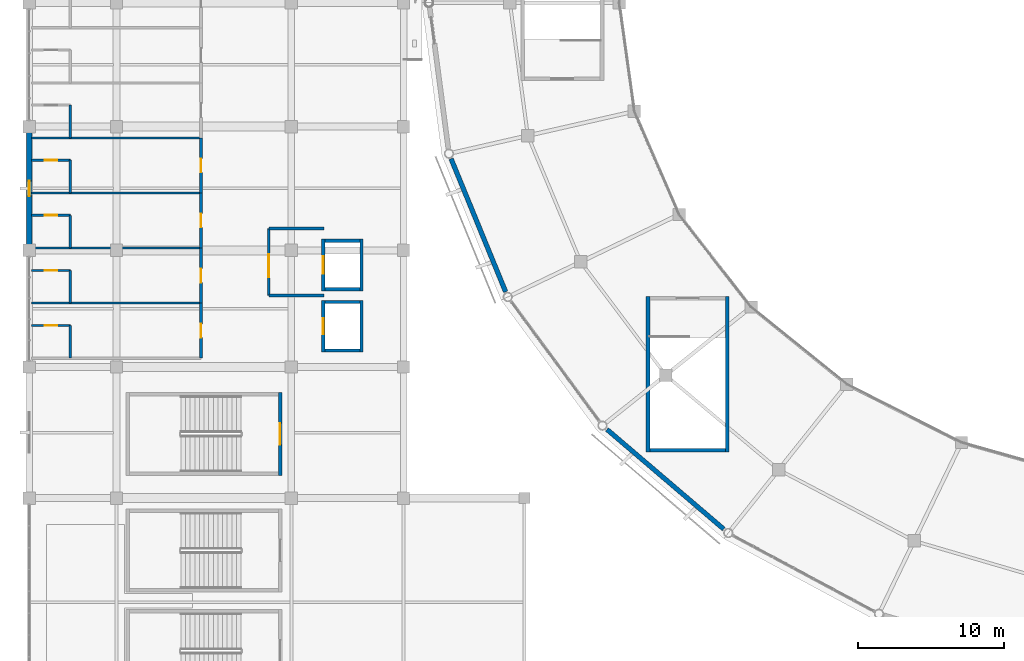
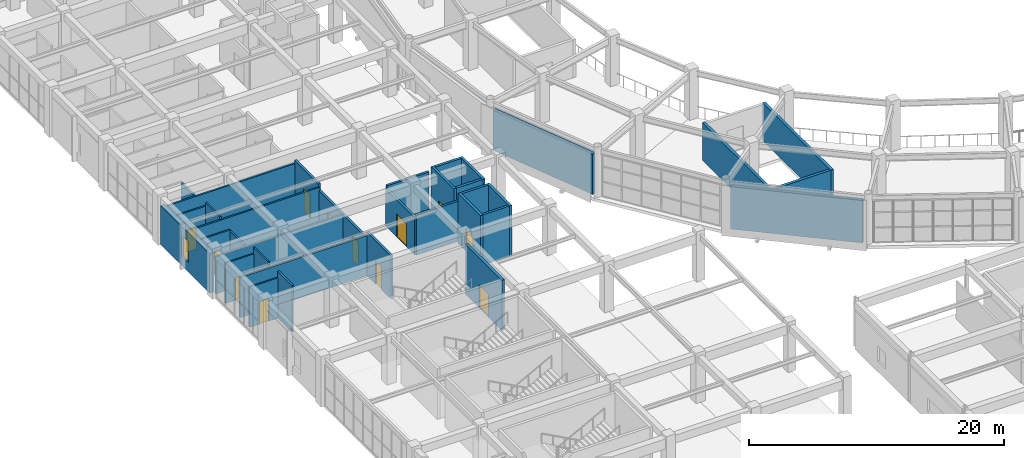
# One storey, part 80 of 112: 35 walls, 12 doors, 1 window, 13 openings.
"""IFC4 building model written with IfcOpenShell, lengths in metres."""

from ifc_helpers import new_model, si_unit, direction, frame, frame_2d, origin, place, context, subcontext, project, spatial, rectangle, extrude, material, layer, layer_set, type_object, element, fill, save


model = new_model("IFC4")

# Units and contexts
model_context = context("Model", 3, precision=1e-05, world=origin(), true_north=direction((0.0, 1.0)))
body_context = subcontext(model_context, "Body", "Model", "MODEL_VIEW")
ifc_project = project(units=[si_unit("LENGTHUNIT", "METRE"), si_unit("AREAUNIT", "SQUARE_METRE"), si_unit("VOLUMEUNIT", "CUBIC_METRE"), si_unit("PLANEANGLEUNIT", "RADIAN"), si_unit("MASSUNIT", "GRAM", prefix="KILO")], contexts=[model_context])

# Site, building, storey
site_placement = place(None, origin())
site = spatial("IfcSite", under=ifc_project, at=site_placement, CompositionType="ELEMENT")
building_placement = place(site_placement, origin())
building = spatial("IfcBuilding", under=site, at=building_placement, Name="Cuetzalor Civic Arena", CompositionType="ELEMENT")
storey_placement = place(building_placement, frame((0.0, 0.0, 11.39990234375)))
storey = spatial("IfcBuildingStorey", under=building, at=storey_placement, Name="L02", CompositionType="ELEMENT", Elevation=11.39990234375)

# Wall, opening, door
ifc_material_1 = material(Name="Acoustic steel-stud gypsum partition", Category="steel")
ifc_layer_1 = layer(ifc_material_1, 0.14990234375)
ifc_layer_set_1 = layer_set([ifc_layer_1], Name="Acoustic steel-stud gypsum partition")
wall_type_1 = type_object("IfcWallType", Name="AcousticGypsumPartition_150", PredefinedType="PARTITIONING", material=ifc_layer_set_1)
wall_1_placement = place(storey_placement, frame((-81.820068359375, -22.14990234375, 0.0), z_axis=(0.0, 0.0, 1.0), x_axis=(1.0, 0.0, 0.0)))
wall_1 = element("IfcWall", 1, at=wall_1_placement, inside=storey, type_object=wall_type_1, Name="Interior Partition IWALL:L02:0269", PredefinedType="PARTITIONING", context=body_context, shape_type="SweptSolid", body=[
    extrude(rectangle(XDim=2.650146484375, YDim=0.14990234375, at=frame_2d((1.3251953125, 0.0))), origin(), (0.0, 0.0, 1.0), 3.84521484375),
])
opening_1_placement = place(wall_1_placement, frame((0.89990234375, 0.0, 0.0)))
opening_1 = element("IfcOpeningElement", 2, at=opening_1_placement, cuts=wall_1, Name="Opening ID-01", PredefinedType="OPENING", context=body_context, shape_type="SweptSolid", body=[
    extrude(rectangle(XDim=0.85009765625, YDim=2.14990234375, at=frame_2d((0.425048828125, 1.074951171875))), frame((0.0, 0.0849609375, 0.0), z_axis=(0.0, -1.0, 0.0), x_axis=(1.0, 0.0, 0.0)), (0.0, 0.0, 1.0), 0.169921875),
])
ifc_material_2 = material(Name="Painted steel frame and solid timber leaf", Category="steel")
door_type_1 = type_object("IfcDoorType", Name="InteriorSingleDoor_850x2150", OperationType="NOTDEFINED", PredefinedType="DOOR", material=ifc_material_2)
door_1_placement = place(opening_1_placement, origin())
door_1 = element("IfcDoor", 3, at=door_1_placement, inside=storey, type_object=door_type_1, Name="Door to Suite Bathroom 201", OperationType="SINGLE_SWING_RIGHT", OverallHeight=2.14990234375, OverallWidth=0.85009765625, PredefinedType="DOOR", context=body_context, shape_type="SweptSolid", body=[
    extrude(rectangle(XDim=0.85009765625, YDim=2.14990234375, at=frame_2d((0.425048828125, 1.074951171875))), frame((0.0, 0.02490234375, 0.0), z_axis=(0.0, -1.0, 0.0), x_axis=(1.0, 0.0, 0.0)), (0.0, 0.0, 1.0), 0.050048828125),
])
fill(opening_1, door_1)

# Walls
wall_2_placement = place(storey_placement, frame((-79.169921875, -22.14990234375, 0.0), z_axis=(0.0, 0.0, 1.0), x_axis=(0.0, -1.0, 0.0)))
element("IfcWall", 4, at=wall_2_placement, inside=storey, type_object=wall_type_1, Name="Interior Partition IWALL:L02:0270", PredefinedType="PARTITIONING", context=body_context, shape_type="SweptSolid", body=[
    extrude(rectangle(XDim=2.25, YDim=0.14990234375, at=frame_2d((1.125, 0.0))), origin(), (0.0, 0.0, 1.0), 4.440185546875),
])
wall_3_placement = place(storey_placement, frame((-81.820068359375, -20.6201171875, 0.0), z_axis=(0.0, 0.0, 1.0), x_axis=(1.0, 0.0, 0.0)))
element("IfcWall", 5, at=wall_3_placement, inside=storey, type_object=wall_type_1, Name="Interior Partition IWALL:L02:0272", PredefinedType="PARTITIONING", context=body_context, shape_type="SweptSolid", body=[
    extrude(rectangle(XDim=11.6201171875, YDim=0.14990234375, at=frame_2d((5.81005859375, 0.0))), origin(), (0.0, 0.0, 1.0), 3.84521484375),
])

# Wall, opening, door
wall_4_placement = place(storey_placement, frame((-81.820068359375, -18.3701171875, 0.0), z_axis=(0.0, 0.0, 1.0), x_axis=(1.0, 0.0, 0.0)))
wall_4 = element("IfcWall", 6, at=wall_4_placement, inside=storey, type_object=wall_type_1, Name="Interior Partition IWALL:L02:0273", PredefinedType="PARTITIONING", context=body_context, shape_type="SweptSolid", body=[
    extrude(rectangle(XDim=2.650146484375, YDim=0.14990234375, at=frame_2d((1.3251953125, 0.0))), origin(), (0.0, 0.0, 1.0), 3.84521484375),
])
opening_2_placement = place(wall_4_placement, frame((0.89990234375, 0.0, 0.0)))
opening_2 = element("IfcOpeningElement", 7, at=opening_2_placement, cuts=wall_4, Name="Opening ID-01", PredefinedType="OPENING", context=body_context, shape_type="SweptSolid", body=[
    extrude(rectangle(XDim=0.85009765625, YDim=2.14990234375, at=frame_2d((0.425048828125, 1.074951171875))), frame((0.0, 0.0849609375, 0.0), z_axis=(0.0, -1.0, 0.0), x_axis=(1.0, 0.0, 0.0)), (0.0, 0.0, 1.0), 0.169921875),
])
door_2_placement = place(opening_2_placement, origin())
door_2 = element("IfcDoor", 8, at=door_2_placement, inside=storey, type_object=door_type_1, Name="Door to Suite Bathroom 202", OperationType="SINGLE_SWING_RIGHT", OverallHeight=2.14990234375, OverallWidth=0.85009765625, PredefinedType="DOOR", context=body_context, shape_type="SweptSolid", body=[
    extrude(rectangle(XDim=0.85009765625, YDim=2.14990234375, at=frame_2d((0.425048828125, 1.074951171875))), frame((0.0, 0.02490234375, 0.0), z_axis=(0.0, -1.0, 0.0), x_axis=(1.0, 0.0, 0.0)), (0.0, 0.0, 1.0), 0.050048828125),
])
fill(opening_2, door_2)

# Walls
wall_5_placement = place(storey_placement, frame((-79.169921875, -18.3701171875, 0.0), z_axis=(0.0, 0.0, 1.0), x_axis=(0.0, -1.0, 0.0)))
element("IfcWall", 9, at=wall_5_placement, inside=storey, type_object=wall_type_1, Name="Interior Partition IWALL:L02:0274", PredefinedType="PARTITIONING", context=body_context, shape_type="SweptSolid", body=[
    extrude(rectangle(XDim=2.25, YDim=0.14990234375, at=frame_2d((1.125, 0.0))), origin(), (0.0, 0.0, 1.0), 4.440185546875),
])
wall_6_placement = place(storey_placement, frame((-81.820068359375, -16.840087890625, 0.0), z_axis=(0.0, 0.0, 1.0), x_axis=(1.0, 0.0, 0.0)))
element("IfcWall", 10, at=wall_6_placement, inside=storey, type_object=wall_type_1, Name="Interior Partition IWALL:L02:0276", PredefinedType="PARTITIONING", context=body_context, shape_type="SweptSolid", body=[
    extrude(rectangle(XDim=11.6201171875, YDim=0.14990234375, at=frame_2d((5.81005859375, 0.0))), origin(), (0.0, 0.0, 1.0), 3.545166015625),
])

# Wall, opening, door
wall_7_placement = place(storey_placement, frame((-81.820068359375, -14.590087890625, 0.0), z_axis=(0.0, 0.0, 1.0), x_axis=(1.0, 0.0, 0.0)))
wall_7 = element("IfcWall", 11, at=wall_7_placement, inside=storey, type_object=wall_type_1, Name="Interior Partition IWALL:L02:0277", PredefinedType="PARTITIONING", context=body_context, shape_type="SweptSolid", body=[
    extrude(rectangle(XDim=2.650146484375, YDim=0.14990234375, at=frame_2d((1.3251953125, 0.0))), origin(), (0.0, 0.0, 1.0), 3.84521484375),
])
opening_3_placement = place(wall_7_placement, frame((0.89990234375, 0.0, 0.0)))
opening_3 = element("IfcOpeningElement", 12, at=opening_3_placement, cuts=wall_7, Name="Opening ID-01", PredefinedType="OPENING", context=body_context, shape_type="SweptSolid", body=[
    extrude(rectangle(XDim=0.85009765625, YDim=2.14990234375, at=frame_2d((0.425048828125, 1.074951171875))), frame((0.0, 0.0849609375, 0.0), z_axis=(0.0, -1.0, 0.0), x_axis=(1.0, 0.0, 0.0)), (0.0, 0.0, 1.0), 0.169921875),
])
door_3_placement = place(opening_3_placement, origin())
door_3 = element("IfcDoor", 13, at=door_3_placement, inside=storey, type_object=door_type_1, Name="Door to Suite Bathroom 203", OperationType="SINGLE_SWING_RIGHT", OverallHeight=2.14990234375, OverallWidth=0.85009765625, PredefinedType="DOOR", context=body_context, shape_type="SweptSolid", body=[
    extrude(rectangle(XDim=0.85009765625, YDim=2.14990234375, at=frame_2d((0.425048828125, 1.074951171875))), frame((0.0, 0.02490234375, 0.0), z_axis=(0.0, -1.0, 0.0), x_axis=(1.0, 0.0, 0.0)), (0.0, 0.0, 1.0), 0.050048828125),
])
fill(opening_3, door_3)

# Walls
wall_8_placement = place(storey_placement, frame((-79.169921875, -14.590087890625, 0.0), z_axis=(0.0, 0.0, 1.0), x_axis=(0.0, -1.0, 0.0)))
element("IfcWall", 14, at=wall_8_placement, inside=storey, type_object=wall_type_1, Name="Interior Partition IWALL:L02:0278", PredefinedType="PARTITIONING", context=body_context, shape_type="SweptSolid", body=[
    extrude(rectangle(XDim=2.25, YDim=0.14990234375, at=frame_2d((1.125, 0.0))), origin(), (0.0, 0.0, 1.0), 3.7451171875),
])
wall_9_placement = place(storey_placement, frame((-81.820068359375, -13.06005859375, 0.0), z_axis=(0.0, 0.0, 1.0), x_axis=(1.0, 0.0, 0.0)))
element("IfcWall", 15, at=wall_9_placement, inside=storey, type_object=wall_type_1, Name="Interior Partition IWALL:L02:0280", PredefinedType="PARTITIONING", context=body_context, shape_type="SweptSolid", body=[
    extrude(rectangle(XDim=11.6201171875, YDim=0.14990234375, at=frame_2d((5.81005859375, 0.0))), origin(), (0.0, 0.0, 1.0), 3.84521484375),
])

# Wall, opening, door
wall_10_placement = place(storey_placement, frame((-81.820068359375, -10.81005859375, 0.0), z_axis=(0.0, 0.0, 1.0), x_axis=(1.0, 0.0, 0.0)))
wall_10 = element("IfcWall", 16, at=wall_10_placement, inside=storey, type_object=wall_type_1, Name="Interior Partition IWALL:L02:0281", PredefinedType="PARTITIONING", context=body_context, shape_type="SweptSolid", body=[
    extrude(rectangle(XDim=2.650146484375, YDim=0.14990234375, at=frame_2d((1.3251953125, 0.0))), origin(), (0.0, 0.0, 1.0), 3.84521484375),
])
opening_4_placement = place(wall_10_placement, frame((0.89990234375, 0.0, 0.0)))
opening_4 = element("IfcOpeningElement", 17, at=opening_4_placement, cuts=wall_10, Name="Opening ID-01", PredefinedType="OPENING", context=body_context, shape_type="SweptSolid", body=[
    extrude(rectangle(XDim=0.85009765625, YDim=2.14990234375, at=frame_2d((0.425048828125, 1.074951171875))), frame((0.0, 0.0849609375, 0.0), z_axis=(0.0, -1.0, 0.0), x_axis=(1.0, 0.0, 0.0)), (0.0, 0.0, 1.0), 0.169921875),
])
door_4_placement = place(opening_4_placement, origin())
door_4 = element("IfcDoor", 18, at=door_4_placement, inside=storey, type_object=door_type_1, Name="Door to Suite Bathroom 204", OperationType="SINGLE_SWING_RIGHT", OverallHeight=2.14990234375, OverallWidth=0.85009765625, PredefinedType="DOOR", context=body_context, shape_type="SweptSolid", body=[
    extrude(rectangle(XDim=0.85009765625, YDim=2.14990234375, at=frame_2d((0.425048828125, 1.074951171875))), frame((0.0, 0.02490234375, 0.0), z_axis=(0.0, -1.0, 0.0), x_axis=(1.0, 0.0, 0.0)), (0.0, 0.0, 1.0), 0.050048828125),
])
fill(opening_4, door_4)

# Walls
wall_11_placement = place(storey_placement, frame((-79.169921875, -10.81005859375, 0.0), z_axis=(0.0, 0.0, 1.0), x_axis=(0.0, -1.0, 0.0)))
element("IfcWall", 19, at=wall_11_placement, inside=storey, type_object=wall_type_1, Name="Interior Partition IWALL:L02:0282", PredefinedType="PARTITIONING", context=body_context, shape_type="SweptSolid", body=[
    extrude(rectangle(XDim=2.25, YDim=0.14990234375, at=frame_2d((1.125, 0.0))), origin(), (0.0, 0.0, 1.0), 4.14013671875),
])
wall_12_placement = place(storey_placement, frame((-81.820068359375, -9.280029296875, 0.0), z_axis=(0.0, 0.0, 1.0), x_axis=(1.0, 0.0, 0.0)))
element("IfcWall", 20, at=wall_12_placement, inside=storey, type_object=wall_type_1, Name="Interior Partition IWALL:L02:0284", PredefinedType="PARTITIONING", context=body_context, shape_type="SweptSolid", body=[
    extrude(rectangle(XDim=11.6201171875, YDim=0.14990234375, at=frame_2d((5.81005859375, 0.0))), origin(), (0.0, 0.0, 1.0), 3.84521484375),
])
wall_13_placement = place(storey_placement, frame((-79.169921875, -7.030029296875, 0.0), z_axis=(0.0, 0.0, 1.0), x_axis=(0.0, -1.0, 0.0)))
element("IfcWall", 21, at=wall_13_placement, inside=storey, type_object=wall_type_1, Name="Interior Partition IWALL:L02:0286", PredefinedType="PARTITIONING", context=body_context, shape_type="SweptSolid", body=[
    extrude(rectangle(XDim=2.25, YDim=0.14990234375, at=frame_2d((1.125, 0.0))), origin(), (0.0, 0.0, 1.0), 3.7451171875),
])
ifc_material_3 = material(Name="Concrete C40/50", Category="concrete")
ifc_layer_2 = layer(ifc_material_3, 0.25)
ifc_layer_set_2 = layer_set([ifc_layer_2], Name="Concrete C40/50")
wall_type_2 = type_object("IfcWallType", Name="ConcreteCoreShearWall_250", PredefinedType="SHEAR", material=ifc_layer_set_2)
for number, where, z_axis, x_axis, name in (
    (22, (-39.52490234375, -30.85009765625, 0.0), (0.0, 0.0, 1.0), (0.0, 1.0, 0.0), "Stair Core Shear Wall ST-06-L02-W"),
    (23, (-34.074951171875, -20.14990234375, 0.0), (0.0, 0.0, 1.0), (0.0, -1.0, 0.0), "Stair Core Shear Wall ST-06-L02-E"),
):
    element("IfcWall", number, at=place(storey_placement, frame(where, z_axis=z_axis, x_axis=x_axis)), inside=storey, type_object=wall_type_2, Name=name, PredefinedType="SHEAR", context=body_context, shape_type="SweptSolid", body=[
        extrude(rectangle(XDim=10.7001953125, YDim=0.25, at=frame_2d((5.35009765625, 0.0))), origin(), (0.0, 0.0, 1.0), 3.60009765625),
    ])
wall_14_placement = place(storey_placement, frame((-34.199951171875, -30.72509765625, 0.0), z_axis=(0.0, 0.0, 1.0), x_axis=(-1.0, 0.0, 0.0)))
element("IfcWall", 24, at=wall_14_placement, inside=storey, type_object=wall_type_2, Name="Stair Core Shear Wall ST-06-L02-S", PredefinedType="SHEAR", context=body_context, shape_type="SweptSolid", body=[
    extrude(rectangle(XDim=5.199951171875, YDim=0.25, at=frame_2d((2.60009765625, 0.0))), origin(), (0.0, 0.0, 1.0), 3.60009765625),
])

# Wall, opening, door
wall_15_placement = place(storey_placement, frame((-64.77490234375, -26.75, 0.0), z_axis=(0.0, 0.0, 1.0), x_axis=(0.0, -1.0, 0.0)))
wall_15 = element("IfcWall", 25, at=wall_15_placement, inside=storey, type_object=wall_type_2, Name="Stair Core Shear Wall ST-16-L02-E", PredefinedType="SHEAR", context=body_context, shape_type="SweptSolid", body=[
    extrude(rectangle(XDim=5.699951171875, YDim=0.25, at=frame_2d((2.85009765625, 0.0))), origin(), (0.0, 0.0, 1.0), 4.800048828125),
])
opening_5_placement = place(wall_15_placement, frame((2.10009765625, 0.0, 0.0)))
opening_5 = element("IfcOpeningElement", 26, at=opening_5_placement, cuts=wall_15, Name="Opening FD-03", PredefinedType="OPENING", context=body_context, shape_type="SweptSolid", body=[
    extrude(rectangle(XDim=1.5, YDim=2.199951171875, at=frame_2d((0.75, 1.10009765625))), frame((0.0, 0.135009765625, 0.0), z_axis=(0.0, -1.0, 0.0), x_axis=(1.0, 0.0, 0.0)), (0.0, 0.0, 1.0), 0.27001953125),
])
ifc_material_4 = material(Name="Fire-rated steel stair exit double door", Category="steel")
door_type_2 = type_object("IfcDoorType", Name="StairFireDoubleDoor_1500x2200", OperationType="DOUBLE_DOOR_SINGLE_SWING", PredefinedType="DOOR", material=ifc_material_4)
door_5_placement = place(opening_5_placement, origin())
door_5 = element("IfcDoor", 27, at=door_5_placement, inside=storey, type_object=door_type_2, Name="Fire Stair Door ST-16 L02", OperationType="DOUBLE_DOOR_SINGLE_SWING", OverallHeight=2.199951171875, OverallWidth=1.5, PredefinedType="DOOR", context=body_context, shape_type="SweptSolid", body=[
    extrude(rectangle(XDim=1.5, YDim=2.199951171875, at=frame_2d((0.75, 1.10009765625))), frame((0.0, 0.02490234375, 0.0), z_axis=(0.0, -1.0, 0.0), x_axis=(1.0, 0.0, 0.0)), (0.0, 0.0, 1.0), 0.050048828125),
])
fill(opening_5, door_5)

ifc_material_5 = material(Name="Fire-rated masonry and gypsum partition", Category="masonry")
ifc_layer_3 = layer(ifc_material_5, 0.199951171875)
ifc_layer_set_3 = layer_set([ifc_layer_3], Name="Fire-rated masonry and gypsum partition")
wall_type_3 = type_object("IfcWallType", Name="FireCompartmentWall_200", PredefinedType="PARTITIONING", material=ifc_layer_set_3)
wall_16_placement = place(storey_placement, frame((-65.550048828125, -20.10009765625, 0.0), z_axis=(0.0, 0.0, 1.0), x_axis=(0.0, 1.0, 0.0)))
wall_16 = element("IfcWall", 28, at=wall_16_placement, inside=storey, type_object=wall_type_3, Name="Interior Partition IWALL:L02:0007", PredefinedType="PARTITIONING", context=body_context, shape_type="SweptSolid", body=[
    extrude(rectangle(XDim=4.60009765625, YDim=0.199951171875, at=frame_2d((2.300048828125, 0.0))), origin(), (0.0, 0.0, 1.0), 3.545166015625),
])
opening_6_placement = place(wall_16_placement, frame((1.25, 0.0, 0.0)))
opening_6 = element("IfcOpeningElement", 29, at=opening_6_placement, cuts=wall_16, Name="Opening FD-05", PredefinedType="OPENING", context=body_context, shape_type="SweptSolid", body=[
    extrude(rectangle(XDim=1.60009765625, YDim=2.199951171875, at=frame_2d((0.800048828125, 1.10009765625))), frame((0.0, 0.10986328125, 0.0), z_axis=(0.0, -1.0, 0.0), x_axis=(1.0, 0.0, 0.0)), (0.0, 0.0, 1.0), 0.219970703125),
])
ifc_material_6 = material(Name="Fire-rated smoke-seal lobby double door", Category="steel")
door_type_3 = type_object("IfcDoorType", Name="FireLobbyDoubleDoor_1600x2200", OperationType="DOUBLE_DOOR_SINGLE_SWING", PredefinedType="DOOR", material=ifc_material_6)
door_6_placement = place(opening_6_placement, origin())
door_6 = element("IfcDoor", 30, at=door_6_placement, inside=storey, type_object=door_type_3, Name="Door to Firefighting Lift Lobby LF-01 L02", OperationType="DOUBLE_DOOR_SINGLE_SWING", OverallHeight=2.199951171875, OverallWidth=1.60009765625, PredefinedType="DOOR", context=body_context, shape_type="SweptSolid", body=[
    extrude(rectangle(XDim=1.60009765625, YDim=2.199951171875, at=frame_2d((0.800048828125, 1.10009765625))), frame((0.0, 0.02490234375, 0.0), z_axis=(0.0, -1.0, 0.0), x_axis=(1.0, 0.0, 0.0)), (0.0, 0.0, 1.0), 0.050048828125),
])
fill(opening_6, door_6)

# Walls
for number, where, z_axis, x_axis, name in (
    (31, (-65.550048828125, -15.5, 0.0), (0.0, 0.0, 1.0), (1.0, 0.0, 0.0), "Interior Partition IWALL:L02:0008"),
    (32, (-61.75, -20.10009765625, 0.0), (0.0, 0.0, 1.0), (-1.0, 0.0, 0.0), "Interior Partition IWALL:L02:0009"),
):
    element("IfcWall", number, at=place(storey_placement, frame(where, z_axis=z_axis, x_axis=x_axis)), inside=storey, type_object=wall_type_3, Name=name, PredefinedType="PARTITIONING", context=body_context, shape_type="SweptSolid", body=[
        extrude(rectangle(XDim=3.800048828125, YDim=0.199951171875, at=frame_2d((1.89990234375, 0.0))), origin(), (0.0, 0.0, 1.0), 3.84521484375),
    ])

# Wall, opening, door
wall_17_placement = place(storey_placement, frame((-70.199951171875, -20.6201171875, 0.0), z_axis=(0.0, 0.0, 1.0), x_axis=(0.0, -1.0, 0.0)))
wall_17 = element("IfcWall", 33, at=wall_17_placement, inside=storey, type_object=wall_type_3, Name="Interior Partition IWALL:L02:0271", PredefinedType="PARTITIONING", context=body_context, shape_type="SweptSolid", body=[
    extrude(rectangle(XDim=3.77978515625, YDim=0.199951171875, at=frame_2d((1.889892578125, 0.0))), origin(), (0.0, 0.0, 1.0), 4.14013671875),
])
opening_7_placement = place(wall_17_placement, frame((1.4150390625, 0.0, 0.0)))
opening_7 = element("IfcOpeningElement", 34, at=opening_7_placement, cuts=wall_17, Name="Opening ID-05", PredefinedType="OPENING", context=body_context, shape_type="SweptSolid", body=[
    extrude(rectangle(XDim=0.949951171875, YDim=2.25, at=frame_2d((0.47509765625, 1.125))), frame((0.0, 0.10986328125, 0.0), z_axis=(0.0, -1.0, 0.0), x_axis=(1.0, 0.0, 0.0)), (0.0, 0.0, 1.0), 0.219970703125),
])
ifc_material_7 = material(Name="Bronze-clad fire-rated acoustic timber door", Category="wood")
door_type_4 = type_object("IfcDoorType", Name="SuiteEntryDoor_950x2150", OperationType="NOTDEFINED", PredefinedType="DOOR", material=ifc_material_7)
door_7_placement = place(opening_7_placement, origin())
door_7 = element("IfcDoor", 35, at=door_7_placement, inside=storey, type_object=door_type_4, Name="Door to Private Viewing Suite 201", OperationType="SINGLE_SWING_LEFT", OverallHeight=2.25, OverallWidth=0.949951171875, PredefinedType="DOOR", context=body_context, shape_type="SweptSolid", body=[
    extrude(rectangle(XDim=0.949951171875, YDim=2.25, at=frame_2d((0.47509765625, 1.125))), frame((0.0, 0.02490234375, 0.0), z_axis=(0.0, -1.0, 0.0), x_axis=(1.0, 0.0, 0.0)), (0.0, 0.0, 1.0), 0.050048828125),
])
fill(opening_7, door_7)

wall_18_placement = place(storey_placement, frame((-70.199951171875, -16.840087890625, 0.0), z_axis=(0.0, 0.0, 1.0), x_axis=(0.0, -1.0, 0.0)))
wall_18 = element("IfcWall", 36, at=wall_18_placement, inside=storey, type_object=wall_type_3, Name="Interior Partition IWALL:L02:0275", PredefinedType="PARTITIONING", context=body_context, shape_type="SweptSolid", body=[
    extrude(rectangle(XDim=3.780029296875, YDim=0.199951171875, at=frame_2d((1.89013671875, 0.0))), origin(), (0.0, 0.0, 1.0), 3.545166015625),
])
opening_8_placement = place(wall_18_placement, frame((1.4150390625, 0.0, 0.0)))
opening_8 = element("IfcOpeningElement", 37, at=opening_8_placement, cuts=wall_18, Name="Opening ID-05", PredefinedType="OPENING", context=body_context, shape_type="SweptSolid", body=[
    extrude(rectangle(XDim=0.949951171875, YDim=2.25, at=frame_2d((0.47509765625, 1.125))), frame((0.0, 0.10986328125, 0.0), z_axis=(0.0, -1.0, 0.0), x_axis=(1.0, 0.0, 0.0)), (0.0, 0.0, 1.0), 0.219970703125),
])
door_8_placement = place(opening_8_placement, origin())
door_8 = element("IfcDoor", 38, at=door_8_placement, inside=storey, type_object=door_type_4, Name="Door to Private Viewing Suite 202", OperationType="SINGLE_SWING_LEFT", OverallHeight=2.25, OverallWidth=0.949951171875, PredefinedType="DOOR", context=body_context, shape_type="SweptSolid", body=[
    extrude(rectangle(XDim=0.949951171875, YDim=2.25, at=frame_2d((0.47509765625, 1.125))), frame((0.0, 0.02490234375, 0.0), z_axis=(0.0, -1.0, 0.0), x_axis=(1.0, 0.0, 0.0)), (0.0, 0.0, 1.0), 0.050048828125),
])
fill(opening_8, door_8)

wall_19_placement = place(storey_placement, frame((-70.199951171875, -13.06005859375, 0.0), z_axis=(0.0, 0.0, 1.0), x_axis=(0.0, -1.0, 0.0)))
wall_19 = element("IfcWall", 39, at=wall_19_placement, inside=storey, type_object=wall_type_3, Name="Interior Partition IWALL:L02:0279", PredefinedType="PARTITIONING", context=body_context, shape_type="SweptSolid", body=[
    extrude(rectangle(XDim=3.780029296875, YDim=0.199951171875, at=frame_2d((1.89013671875, 0.0))), origin(), (0.0, 0.0, 1.0), 3.545166015625),
])
opening_9_placement = place(wall_19_placement, frame((1.4150390625, 0.0, 0.0)))
opening_9 = element("IfcOpeningElement", 40, at=opening_9_placement, cuts=wall_19, Name="Opening ID-05", PredefinedType="OPENING", context=body_context, shape_type="SweptSolid", body=[
    extrude(rectangle(XDim=0.949951171875, YDim=2.25, at=frame_2d((0.47509765625, 1.125))), frame((0.0, 0.10986328125, 0.0), z_axis=(0.0, -1.0, 0.0), x_axis=(1.0, 0.0, 0.0)), (0.0, 0.0, 1.0), 0.219970703125),
])
door_9_placement = place(opening_9_placement, origin())
door_9 = element("IfcDoor", 41, at=door_9_placement, inside=storey, type_object=door_type_4, Name="Door to Private Viewing Suite 203", OperationType="SINGLE_SWING_LEFT", OverallHeight=2.25, OverallWidth=0.949951171875, PredefinedType="DOOR", context=body_context, shape_type="SweptSolid", body=[
    extrude(rectangle(XDim=0.949951171875, YDim=2.25, at=frame_2d((0.47509765625, 1.125))), frame((0.0, 0.02490234375, 0.0), z_axis=(0.0, -1.0, 0.0), x_axis=(1.0, 0.0, 0.0)), (0.0, 0.0, 1.0), 0.050048828125),
])
fill(opening_9, door_9)

wall_20_placement = place(storey_placement, frame((-70.199951171875, -9.280029296875, 0.0), z_axis=(0.0, 0.0, 1.0), x_axis=(0.0, -1.0, 0.0)))
wall_20 = element("IfcWall", 42, at=wall_20_placement, inside=storey, type_object=wall_type_3, Name="Interior Partition IWALL:L02:0283", PredefinedType="PARTITIONING", context=body_context, shape_type="SweptSolid", body=[
    extrude(rectangle(XDim=3.780029296875, YDim=0.199951171875, at=frame_2d((1.89013671875, 0.0))), origin(), (0.0, 0.0, 1.0), 4.14013671875),
])
opening_10_placement = place(wall_20_placement, frame((1.4150390625, 0.0, 0.0)))
opening_10 = element("IfcOpeningElement", 43, at=opening_10_placement, cuts=wall_20, Name="Opening ID-05", PredefinedType="OPENING", context=body_context, shape_type="SweptSolid", body=[
    extrude(rectangle(XDim=0.949951171875, YDim=2.25, at=frame_2d((0.47509765625, 1.125))), frame((0.0, 0.10986328125, 0.0), z_axis=(0.0, -1.0, 0.0), x_axis=(1.0, 0.0, 0.0)), (0.0, 0.0, 1.0), 0.219970703125),
])
door_10_placement = place(opening_10_placement, origin())
door_10 = element("IfcDoor", 44, at=door_10_placement, inside=storey, type_object=door_type_4, Name="Door to Private Viewing Suite 204", OperationType="SINGLE_SWING_LEFT", OverallHeight=2.25, OverallWidth=0.949951171875, PredefinedType="DOOR", context=body_context, shape_type="SweptSolid", body=[
    extrude(rectangle(XDim=0.949951171875, YDim=2.25, at=frame_2d((0.47509765625, 1.125))), frame((0.0, 0.02490234375, 0.0), z_axis=(0.0, -1.0, 0.0), x_axis=(1.0, 0.0, 0.0)), (0.0, 0.0, 1.0), 0.050048828125),
])
fill(opening_10, door_10)

# Walls
ifc_material_8 = material(Name="Precast concrete C40/50 insulated cladding", Category="concrete")
ifc_layer_4 = layer(ifc_material_8, 0.320068359375)
ifc_layer_set_4 = layer_set([ifc_layer_4], Name="Precast concrete C40/50 insulated cladding")
wall_type_4 = type_object("IfcWallType", Name="InsulatedPrecastWall_320", PredefinedType="SOLIDWALL", material=ifc_layer_set_4)
wall_21_placement = place(storey_placement, frame((-49.2919921875, -19.845703125, 0.0), z_axis=(0.0, 0.0, 1.0), x_axis=(-0.379382703047, 0.925239841678, 0.0)))
element("IfcWall", 45, at=wall_21_placement, inside=storey, type_object=wall_type_4, Name="Drum Acoustic Backing Wall L02-034", PredefinedType="SOLIDWALL", context=body_context, shape_type="SweptSolid", body=[
    extrude(rectangle(XDim=9.874267578125, YDim=0.320068359375, at=frame_2d((4.93701171875, 0.0))), origin(), (0.0, 0.0, 1.0), 3.83203125),
])
wall_22_placement = place(storey_placement, frame((-34.32470703125, -36.126953125, 0.0), z_axis=(0.0, 0.0, 1.0), x_axis=(-0.760681761173, 0.649124994296, 0.0)))
element("IfcWall", 46, at=wall_22_placement, inside=storey, type_object=wall_type_4, Name="Drum Acoustic Backing Wall L02-035", PredefinedType="SOLIDWALL", context=body_context, shape_type="SweptSolid", body=[
    extrude(rectangle(XDim=10.531005859375, YDim=0.320068359375, at=frame_2d((5.265625, 0.0))), origin(), (0.0, 0.0, 1.0), 4.052978515625),
])

# Wall, opening, door
ifc_material_9 = material(Name="Concrete C40/50", Category="concrete")
ifc_layer_5 = layer(ifc_material_9, 0.219970703125)
ifc_layer_set_5 = layer_set([ifc_layer_5], Name="Concrete C40/50")
wall_type_5 = type_object("IfcWallType", Name="LiftShaftShearWall_220", PredefinedType="SHEAR", material=ifc_layer_set_5)
wall_23_placement = place(storey_placement, frame((-61.81005859375, -19.77001953125, 0.0), z_axis=(0.0, 0.0, 1.0), x_axis=(0.0, 1.0, 0.0)))
wall_23 = element("IfcWall", 47, at=wall_23_placement, inside=storey, type_object=wall_type_5, Name="Lift Shaft Wall LF-01-L02-W", PredefinedType="SHEAR", context=body_context, shape_type="SweptSolid", body=[
    extrude(rectangle(XDim=3.5400390625, YDim=0.219970703125, at=frame_2d((1.77001953125, 0.0))), origin(), (0.0, 0.0, 1.0), 4.800048828125),
])
opening_11_placement = place(wall_23_placement, frame((1.169921875, 0.0, 0.0)))
opening_11 = element("IfcOpeningElement", 48, at=opening_11_placement, cuts=wall_23, Name="Opening LD-02", PredefinedType="OPENING", context=body_context, shape_type="SweptSolid", body=[
    extrude(rectangle(XDim=1.199951171875, YDim=2.199951171875, at=frame_2d((0.60009765625, 1.10009765625))), frame((0.0, 0.1201171875, 0.0), z_axis=(0.0, -1.0, 0.0), x_axis=(1.0, 0.0, 0.0)), (0.0, 0.0, 1.0), 0.239990234375),
])
ifc_material_10 = material(Name="Fire-rated stainless steel sliding lift landing door", Category="steel")
door_type_5 = type_object("IfcDoorType", Name="LiftLandingSlidingDoor_1200x2200", OperationType="SLIDING_TO_LEFT", PredefinedType="DOOR", material=ifc_material_10)
door_11_placement = place(opening_11_placement, origin())
door_11 = element("IfcDoor", 49, at=door_11_placement, inside=storey, type_object=door_type_5, Name="Lift Landing Sliding Door LF-01 L02", OperationType="SLIDING_TO_LEFT", OverallHeight=2.199951171875, OverallWidth=1.199951171875, PredefinedType="DOOR", context=body_context, shape_type="SweptSolid", body=[
    extrude(rectangle(XDim=1.199951171875, YDim=2.199951171875, at=frame_2d((0.60009765625, 1.10009765625))), frame((0.0, 0.02490234375, 0.0), z_axis=(0.0, -1.0, 0.0), x_axis=(1.0, 0.0, 0.0)), (0.0, 0.0, 1.0), 0.050048828125),
])
fill(opening_11, door_11)

# Walls
wall_24_placement = place(storey_placement, frame((-61.699951171875, -16.340087890625, 0.0), z_axis=(0.0, 0.0, 1.0), x_axis=(1.0, 0.0, 0.0)))
element("IfcWall", 50, at=wall_24_placement, inside=storey, type_object=wall_type_5, Name="Lift Shaft Wall LF-01-L02-N", PredefinedType="SHEAR", context=body_context, shape_type="SweptSolid", body=[
    extrude(rectangle(XDim=2.39990234375, YDim=0.219970703125, at=frame_2d((1.199951171875, 0.0))), origin(), (0.0, 0.0, 1.0), 4.800048828125),
])
wall_25_placement = place(storey_placement, frame((-59.18994140625, -16.22998046875, 0.0), z_axis=(0.0, 0.0, 1.0), x_axis=(0.0, -1.0, 0.0)))
element("IfcWall", 51, at=wall_25_placement, inside=storey, type_object=wall_type_5, Name="Lift Shaft Wall LF-01-L02-E", PredefinedType="SHEAR", context=body_context, shape_type="SweptSolid", body=[
    extrude(rectangle(XDim=3.5400390625, YDim=0.219970703125, at=frame_2d((1.77001953125, 0.0))), origin(), (0.0, 0.0, 1.0), 4.800048828125),
])
wall_26_placement = place(storey_placement, frame((-59.300048828125, -19.659912109375, 0.0), z_axis=(0.0, 0.0, 1.0), x_axis=(-1.0, 0.0, 0.0)))
element("IfcWall", 52, at=wall_26_placement, inside=storey, type_object=wall_type_5, Name="Lift Shaft Wall LF-01-L02-S", PredefinedType="SHEAR", context=body_context, shape_type="SweptSolid", body=[
    extrude(rectangle(XDim=2.39990234375, YDim=0.219970703125, at=frame_2d((1.199951171875, 0.0))), origin(), (0.0, 0.0, 1.0), 4.800048828125),
])

# Wall, opening, door
wall_27_placement = place(storey_placement, frame((-61.81005859375, -23.969970703125, 0.0), z_axis=(0.0, 0.0, 1.0), x_axis=(0.0, 1.0, 0.0)))
wall_27 = element("IfcWall", 53, at=wall_27_placement, inside=storey, type_object=wall_type_5, Name="Lift Shaft Wall LP-03-L02-W", PredefinedType="SHEAR", context=body_context, shape_type="SweptSolid", body=[
    extrude(rectangle(XDim=3.5400390625, YDim=0.219970703125, at=frame_2d((1.77001953125, 0.0))), origin(), (0.0, 0.0, 1.0), 4.800048828125),
])
opening_12_placement = place(wall_27_placement, frame((1.219970703125, 0.0, 0.0)))
opening_12 = element("IfcOpeningElement", 54, at=opening_12_placement, cuts=wall_27, Name="Opening LD-01", PredefinedType="OPENING", context=body_context, shape_type="SweptSolid", body=[
    extrude(rectangle(XDim=1.10009765625, YDim=2.199951171875, at=frame_2d((0.550048828125, 1.10009765625))), frame((0.0, 0.1201171875, 0.0), z_axis=(0.0, -1.0, 0.0), x_axis=(1.0, 0.0, 0.0)), (0.0, 0.0, 1.0), 0.239990234375),
])
ifc_material_11 = material(Name="Brushed stainless steel sliding lift landing door", Category="steel")
door_type_6 = type_object("IfcDoorType", Name="LiftLandingSlidingDoor_1100x2200", OperationType="SLIDING_TO_LEFT", PredefinedType="DOOR", material=ifc_material_11)
door_12_placement = place(opening_12_placement, origin())
door_12 = element("IfcDoor", 55, at=door_12_placement, inside=storey, type_object=door_type_6, Name="Lift Landing Sliding Door LP-03 L02", OperationType="SLIDING_TO_LEFT", OverallHeight=2.199951171875, OverallWidth=1.10009765625, PredefinedType="DOOR", context=body_context, shape_type="SweptSolid", body=[
    extrude(rectangle(XDim=1.10009765625, YDim=2.199951171875, at=frame_2d((0.550048828125, 1.10009765625))), frame((0.0, 0.02490234375, 0.0), z_axis=(0.0, -1.0, 0.0), x_axis=(1.0, 0.0, 0.0)), (0.0, 0.0, 1.0), 0.050048828125),
])
fill(opening_12, door_12)

# Walls
wall_28_placement = place(storey_placement, frame((-61.699951171875, -20.5400390625, 0.0), z_axis=(0.0, 0.0, 1.0), x_axis=(1.0, 0.0, 0.0)))
element("IfcWall", 56, at=wall_28_placement, inside=storey, type_object=wall_type_5, Name="Lift Shaft Wall LP-03-L02-N", PredefinedType="SHEAR", context=body_context, shape_type="SweptSolid", body=[
    extrude(rectangle(XDim=2.39990234375, YDim=0.219970703125, at=frame_2d((1.199951171875, 0.0))), origin(), (0.0, 0.0, 1.0), 4.800048828125),
])
wall_29_placement = place(storey_placement, frame((-59.18994140625, -20.429931640625, 0.0), z_axis=(0.0, 0.0, 1.0), x_axis=(0.0, -1.0, 0.0)))
element("IfcWall", 57, at=wall_29_placement, inside=storey, type_object=wall_type_5, Name="Lift Shaft Wall LP-03-L02-E", PredefinedType="SHEAR", context=body_context, shape_type="SweptSolid", body=[
    extrude(rectangle(XDim=3.5400390625, YDim=0.219970703125, at=frame_2d((1.77001953125, 0.0))), origin(), (0.0, 0.0, 1.0), 4.800048828125),
])
wall_30_placement = place(storey_placement, frame((-59.300048828125, -23.860107421875, 0.0), z_axis=(0.0, 0.0, 1.0), x_axis=(-1.0, 0.0, 0.0)))
element("IfcWall", 58, at=wall_30_placement, inside=storey, type_object=wall_type_5, Name="Lift Shaft Wall LP-03-L02-S", PredefinedType="SHEAR", context=body_context, shape_type="SweptSolid", body=[
    extrude(rectangle(XDim=2.39990234375, YDim=0.219970703125, at=frame_2d((1.199951171875, 0.0))), origin(), (0.0, 0.0, 1.0), 4.800048828125),
])

# Wall, opening, window
ifc_material_12 = material(Name="Polychrome Talavera ceramic on Concrete C35/45", Category="concrete")
ifc_layer_6 = layer(ifc_material_12, 0.3798828125)
ifc_layer_set_6 = layer_set([ifc_layer_6], Name="Polychrome Talavera ceramic on Concrete C35/45")
wall_type_6 = type_object("IfcWallType", Name="TalaveraSpandrelWall_380", PredefinedType="SOLIDWALL", material=ifc_layer_set_6)
wall_31_placement = place(storey_placement, frame((-82.0, -16.593017578125, 0.0), z_axis=(0.0, 0.0, 1.0), x_axis=(0.0, 1.0, 0.0)))
wall_31 = element("IfcWall", 59, at=wall_31_placement, inside=storey, type_object=wall_type_6, Name="V4W Outer Talavera Wall L02-133", PredefinedType="SOLIDWALL", context=body_context, shape_type="SweptSolid", body=[
    extrude(rectangle(XDim=7.68603515625, YDim=0.3798828125, at=frame_2d((3.843017578125, 0.0))), origin(), (0.0, 0.0, 1.0), 3.760009765625),
])
opening_13_placement = place(wall_31_placement, frame((3.318115234375, 0.0, 0.89990234375)))
opening_13 = element("IfcOpeningElement", 60, at=opening_13_placement, cuts=wall_31, Name="Opening WN-28", PredefinedType="OPENING", context=body_context, shape_type="SweptSolid", body=[
    extrude(rectangle(XDim=1.050048828125, YDim=2.0, at=frame_2d((0.52490234375, 1.0))), frame((0.0, 0.199951171875, 0.0), z_axis=(0.0, -1.0, 0.0), x_axis=(1.0, 0.0, 0.0)), (0.0, 0.0, 1.0), 0.39990234375),
])
ifc_material_13 = material(Name="Anodised bronze aluminium and low-E solar glass", Category="aluminium")
window_type = type_object("IfcWindowType", Name="BronzeThermalWindow_1050x2000", PartitioningType="SINGLE_PANEL", PredefinedType="WINDOW", material=ifc_material_13)
window_placement = place(opening_13_placement, origin())
window = element("IfcWindow", 61, at=window_placement, inside=storey, type_object=window_type, Name="V4W Facade Window L02-0028", OverallHeight=2.0, OverallWidth=1.050048828125, PartitioningType="SINGLE_PANEL", PredefinedType="WINDOW", context=body_context, shape_type="SweptSolid", body=[
    extrude(rectangle(XDim=1.050048828125, YDim=2.0, at=frame_2d((0.52490234375, 1.0))), frame((0.0, 0.030029296875, 0.0), z_axis=(0.0, -1.0, 0.0), x_axis=(1.0, 0.0, 0.0)), (0.0, 0.0, 1.0), 0.06005859375),
])
fill(opening_13, window)

save(model, "model.ifc")
